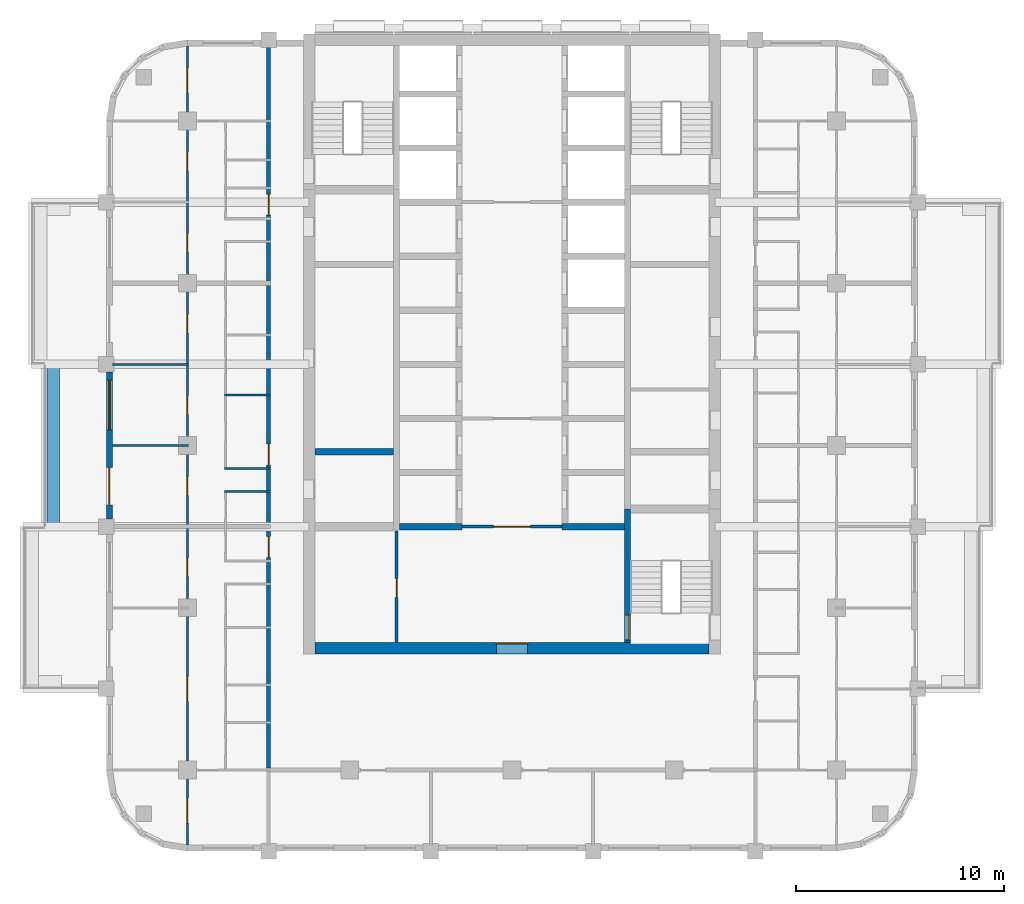
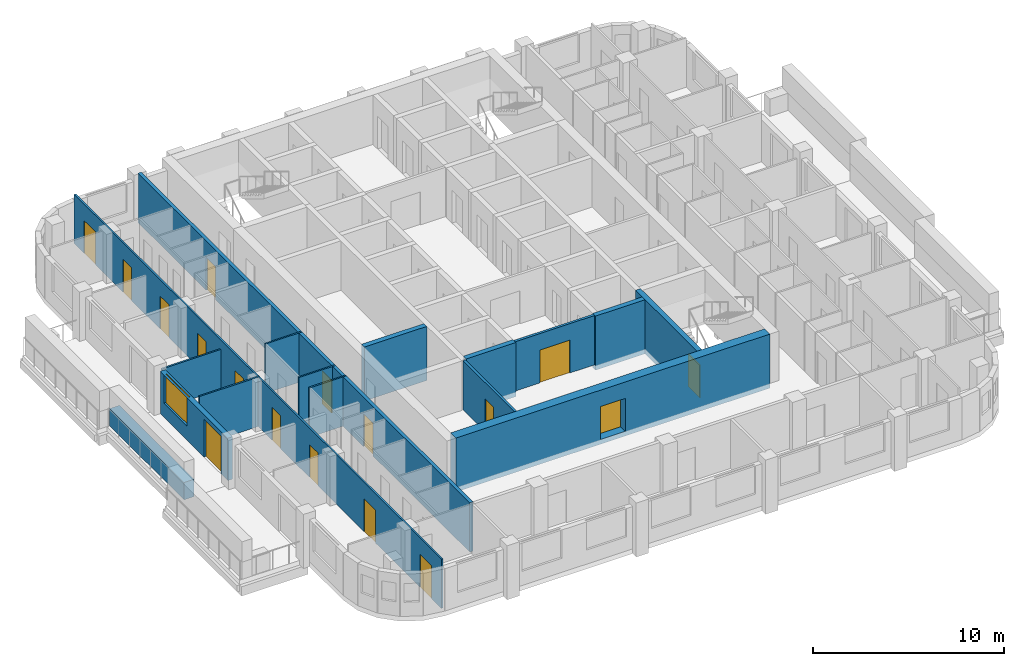
# One storey, part 3 of 13: 17 doors, 16 walls, 1 window, 18 openings.
"""IFC4 building model written with IfcOpenShell, lengths in metres."""

from ifc_helpers import new_model, si_unit, direction, frame, frame_2d, origin, place, context, subcontext, project, spatial, rectangle, extrude, material, layer, layer_set, type_object, element, fill, save


model = new_model("IFC4")

# Units and contexts
model_context = context("Model", 3, precision=1e-05, world=origin(), true_north=direction((0.0, 1.0)))
body_context = subcontext(model_context, "Body", "Model", "MODEL_VIEW")
ifc_project = project(units=[si_unit("LENGTHUNIT", "METRE"), si_unit("AREAUNIT", "SQUARE_METRE"), si_unit("VOLUMEUNIT", "CUBIC_METRE"), si_unit("PLANEANGLEUNIT", "RADIAN"), si_unit("MASSUNIT", "GRAM", prefix="KILO")], contexts=[model_context])

# Site, building, storey
site_placement = place(None, origin())
site = spatial("IfcSite", under=ifc_project, at=site_placement, CompositionType="ELEMENT")
building_placement = place(site_placement, origin())
building = spatial("IfcBuilding", under=site, at=building_placement, Name="Ludao Terraces", CompositionType="ELEMENT")
storey_placement = place(building_placement, frame((0.0, 0.0, 148.60009765625)))
storey = spatial("IfcBuildingStorey", under=building, at=storey_placement, Name="L40", CompositionType="ELEMENT", Elevation=148.60009765625)

# Wall, opening, door
ifc_material_1 = material(Name="Concrete C60", Category="concrete")
ifc_layer_1 = layer(ifc_material_1, 0.550048828125)
ifc_layer_set_1 = layer_set([ifc_layer_1], Name="Core wall 550 C60")
wall_type_1 = type_object("IfcWallType", Name="Core wall 550 C60", PredefinedType="SOLIDWALL", material=ifc_layer_set_1)
wall_1_placement = place(storey_placement, frame((75.52490234375, 55.25, -0.300048828125), z_axis=(0.0, 0.0, 1.0), x_axis=(1.0, 0.0, 0.0)))
wall_1 = element("IfcWall", 1, at=wall_1_placement, inside=storey, type_object=wall_type_1, Name="Core wall L40 outer-S", PredefinedType="SOLIDWALL", context=body_context, shape_type="SweptSolid", body=[
    extrude(rectangle(XDim=18.9501953125, YDim=0.550048828125, at=frame_2d((9.47509765625, 0.0))), origin(), (0.0, 0.0, 1.0), 3.449951171875),
])
opening_1_placement = place(wall_1_placement, frame((8.72509765625, 0.0, 0.300048828125)))
opening_1 = element("IfcOpeningElement", 2, at=opening_1_placement, cuts=wall_1, Name="Opening R14-016", PredefinedType="OPENING", context=body_context, shape_type="SweptSolid", body=[
    extrude(rectangle(XDim=1.5, YDim=2.10009765625, at=frame_2d((0.75, 1.050048828125))), frame((0.0, 0.28515625, 0.0), z_axis=(0.0, -1.0, 0.0), x_axis=(1.0, 0.0, 0.0)), (0.0, 0.0, 1.0), 0.570068359375),
])
ifc_material_2 = material(Name="Steel Q235", Category="steel")
door_type_1 = type_object("IfcDoorType", Name="INT Lobby door 1500", OperationType="DOUBLE_DOOR_SINGLE_SWING", PredefinedType="DOOR", material=ifc_material_2)
door_1_placement = place(opening_1_placement, origin())
door_1 = element("IfcDoor", 3, at=door_1_placement, inside=storey, type_object=door_type_1, Name="DOOR 016", OperationType="DOUBLE_DOOR_SINGLE_SWING", OverallHeight=2.10009765625, OverallWidth=1.5, PredefinedType="DOOR", context=body_context, shape_type="SweptSolid", body=[
    extrude(rectangle(XDim=1.5, YDim=2.10009765625, at=frame_2d((0.75, 1.050048828125))), frame((0.0, 0.26025390625, 0.0), z_axis=(0.0, -1.0, 0.0), x_axis=(1.0, 0.0, 0.0)), (0.0, 0.0, 1.0), 0.050048828125),
])
fill(opening_1, door_1)

# Wall
ifc_material_3 = material(Name="Concrete C40", Category="concrete")
ifc_layer_2 = layer(ifc_material_3, 0.60009765625)
ifc_layer_set_2 = layer_set([ifc_layer_2], Name="ENV Planter trough 600")
wall_type_2 = type_object("IfcWallType", Name="ENV Planter trough 600", PredefinedType="USERDEFINED", material=ifc_layer_set_2)
wall_2_placement = place(storey_placement, frame((62.949951171875, 61.10009765625, 0.0), z_axis=(0.0, 0.0, 1.0), x_axis=(0.0, 1.0, 0.0)))
element("IfcWall", 4, at=wall_2_placement, inside=storey, type_object=wall_type_2, Name="PL-L40-W2", ObjectType="PLANTER", PredefinedType="USERDEFINED", context=body_context, shape_type="SweptSolid", body=[
    extrude(rectangle(XDim=7.7998046875, YDim=0.60009765625, at=frame_2d((3.89990234375, 0.0))), origin(), (0.0, 0.0, 1.0), 1.099853515625),
])

# Wall, openings, door, window
ifc_material_4 = material(Name="Granite cladding", Category="masonry")
ifc_layer_3 = layer(ifc_material_4, 0.0400390625, Category="stone")
ifc_material_5 = material(Name="Mineral wool")
ifc_layer_4 = layer(ifc_material_5, 0.06005859375)
ifc_layer_5 = layer(ifc_material_3, 0.199951171875, Category="concrete")
ifc_layer_set_3 = layer_set([ifc_layer_3, ifc_layer_4, ifc_layer_5], Name="ENV Stone-clad wall 300")
wall_type_3 = type_object("IfcWallType", Name="ENV Stone-clad wall 300", PredefinedType="SOLIDWALL", material=ifc_layer_set_3)
wall_3_placement = place(storey_placement, frame((65.64990234375, 61.47509765625, 0.0), z_axis=(0.0, 0.0, 1.0), x_axis=(0.0, 1.0, 0.0)))
wall_3 = element("IfcWall", 5, at=wall_3_placement, inside=storey, type_object=wall_type_3, Name="EW-L40-W3", PredefinedType="SOLIDWALL", context=body_context, shape_type="SweptSolid", body=[
    extrude(rectangle(XDim=7.0498046875, YDim=0.300048828125, at=frame_2d((3.52490234375, 0.0))), origin(), (0.0, 0.0, 1.0), 2.699951171875),
])
opening_2_placement = place(wall_3_placement, frame((0.675048828125, 0.0, 0.0)))
opening_2 = element("IfcOpeningElement", 6, at=opening_2_placement, cuts=wall_3, Name="Opening BD", PredefinedType="OPENING", context=body_context, shape_type="SweptSolid", body=[
    extrude(rectangle(XDim=1.800048828125, YDim=2.39990234375, at=frame_2d((0.89990234375, 1.199951171875))), frame((0.0, 0.16015625, 0.0), z_axis=(0.0, -1.0, 0.0), x_axis=(1.0, 0.0, 0.0)), (0.0, 0.0, 1.0), 0.320068359375),
])
opening_3_placement = place(wall_3_placement, frame((4.27490234375, 0.0, 0.89990234375)))
opening_3 = element("IfcOpeningElement", 7, at=opening_3_placement, cuts=wall_3, Name="Opening W1", PredefinedType="OPENING", context=body_context, shape_type="SweptSolid", body=[
    extrude(rectangle(XDim=2.39990234375, YDim=1.800048828125, at=frame_2d((1.199951171875, 0.89990234375))), frame((0.0, 0.16015625, 0.0), z_axis=(0.0, -1.0, 0.0), x_axis=(1.0, 0.0, 0.0)), (0.0, 0.0, 1.0), 0.320068359375),
])
ifc_material_6 = material(Name="Aluminium glazed door", Category="aluminium")
ifc_layer_6 = layer(ifc_material_6, 0.06005859375)
ifc_layer_set_4 = layer_set([ifc_layer_6], Name="ENV Balcony door BD 1800x2400")
door_type_2 = type_object("IfcDoorType", Name="ENV Balcony door BD 1800x2400", OperationType="DOUBLE_DOOR_SINGLE_SWING", PredefinedType="DOOR", material=ifc_layer_set_4)
door_2_placement = place(opening_2_placement, origin())
door_2 = element("IfcDoor", 8, at=door_2_placement, inside=storey, type_object=door_type_2, Name="BD-L40-W3-1", OperationType="DOUBLE_DOOR_SINGLE_SWING", OverallHeight=2.39990234375, OverallWidth=1.800048828125, PredefinedType="DOOR", context=body_context, shape_type="SweptSolid", body=[
    extrude(rectangle(XDim=1.800048828125, YDim=2.39990234375, at=frame_2d((0.89990234375, 1.199951171875))), frame((0.0, 0.02490234375, 0.0), z_axis=(0.0, -1.0, 0.0), x_axis=(1.0, 0.0, 0.0)), (0.0, 0.0, 1.0), 0.050048828125),
])
fill(opening_2, door_2)
ifc_material_7 = material(Name="Clear glass in aluminium frame", Category="aluminium")
ifc_layer_7 = layer(ifc_material_7, 0.06005859375)
ifc_layer_set_5 = layer_set([ifc_layer_7], Name="ENV Window W1 2400x1800")
window_type = type_object("IfcWindowType", Name="ENV Window W1 2400x1800", PartitioningType="DOUBLE_PANEL_VERTICAL", PredefinedType="WINDOW", material=ifc_layer_set_5)
window_placement = place(opening_3_placement, origin())
window = element("IfcWindow", 9, at=window_placement, inside=storey, type_object=window_type, Name="W-L40-W3-2", OverallHeight=1.800048828125, OverallWidth=2.39990234375, PartitioningType="DOUBLE_PANEL_VERTICAL", PredefinedType="WINDOW", context=body_context, shape_type="SweptSolid", body=[
    extrude(rectangle(XDim=2.39990234375, YDim=1.800048828125, at=frame_2d((1.199951171875, 0.89990234375))), frame((0.0, 0.030029296875, 0.0), z_axis=(0.0, -1.0, 0.0), x_axis=(1.0, 0.0, 0.0)), (0.0, 0.0, 1.0), 0.06005859375),
])
fill(opening_3, window)

# Wall, opening, door
ifc_material_8 = material(Name="Fire-rated gypsum plasterboard", Category="gypsum")
ifc_layer_8 = layer(ifc_material_8, 0.012451171875, Category="gypsum")
ifc_layer_9 = layer(ifc_material_5, 0.10009765625, Name="insulation")
ifc_layer_10 = layer(ifc_material_2, 0.02490234375, Name="stud")
ifc_layer_11 = layer(ifc_material_8, 0.012451171875, Category="gypsum")
ifc_layer_set_6 = layer_set([ifc_layer_8, ifc_layer_9, ifc_layer_10, ifc_layer_11], Name="INT Core partition 150")
wall_type_4 = type_object("IfcWallType", Name="INT Core partition 150", PredefinedType="PARTITIONING", material=ifc_layer_set_6)
wall_4_placement = place(storey_placement, frame((82.60009765625, 61.10009765625, 0.0), z_axis=(0.0, 0.0, 1.0), x_axis=(1.0, 0.0, 0.0)))
wall_4 = element("IfcWall", 10, at=wall_4_placement, inside=storey, type_object=wall_type_4, Name="PW-L40-PW017", PredefinedType="PARTITIONING", context=body_context, shape_type="SweptSolid", body=[
    extrude(rectangle(XDim=4.800048828125, YDim=0.14990234375, at=frame_2d((2.39990234375, 0.0))), origin(), (0.0, 0.0, 1.0), 3.14990234375),
])
opening_4_placement = place(wall_4_placement, frame((1.5, 0.0, 0.0)))
opening_4 = element("IfcOpeningElement", 11, at=opening_4_placement, cuts=wall_4, Name="Opening R14-029", PredefinedType="OPENING", context=body_context, shape_type="SweptSolid", body=[
    extrude(rectangle(XDim=1.800048828125, YDim=2.10009765625, at=frame_2d((0.89990234375, 1.050048828125))), frame((0.0, 0.0849609375, 0.0), z_axis=(0.0, -1.0, 0.0), x_axis=(1.0, 0.0, 0.0)), (0.0, 0.0, 1.0), 0.169921875),
])
door_type_3 = type_object("IfcDoorType", Name="INT Fire lobby door 1800", OperationType="DOUBLE_DOOR_SINGLE_SWING", PredefinedType="DOOR", material=ifc_material_2)
door_3_placement = place(opening_4_placement, origin())
door_3 = element("IfcDoor", 12, at=door_3_placement, inside=storey, type_object=door_type_3, Name="DOOR 029", OperationType="DOUBLE_DOOR_SINGLE_SWING", OverallHeight=2.10009765625, OverallWidth=1.800048828125, PredefinedType="DOOR", context=body_context, shape_type="SweptSolid", body=[
    extrude(rectangle(XDim=1.800048828125, YDim=2.10009765625, at=frame_2d((0.89990234375, 1.050048828125))), frame((0.0, 0.02490234375, 0.0), z_axis=(0.0, -1.0, 0.0), x_axis=(1.0, 0.0, 0.0)), (0.0, 0.0, 1.0), 0.050048828125),
])
fill(opening_4, door_3)

wall_5_placement = place(storey_placement, frame((79.449951171875, 55.525146484375, 0.0), z_axis=(0.0, 0.0, 1.0), x_axis=(0.0, 1.0, 0.0)))
wall_5 = element("IfcWall", 13, at=wall_5_placement, inside=storey, type_object=wall_type_4, Name="PW-L40-PW055", PredefinedType="PARTITIONING", context=body_context, shape_type="SweptSolid", body=[
    extrude(rectangle(XDim=5.375, YDim=0.14990234375, at=frame_2d((2.6875, 0.0))), origin(), (0.0, 0.0, 1.0), 3.14990234375),
])
opening_5_placement = place(wall_5_placement, frame((2.175048828125, 0.0, 0.0)))
opening_5 = element("IfcOpeningElement", 14, at=opening_5_placement, cuts=wall_5, Name="Opening R14-022", PredefinedType="OPENING", context=body_context, shape_type="SweptSolid", body=[
    extrude(rectangle(XDim=0.89990234375, YDim=2.10009765625, at=frame_2d((0.449951171875, 1.050048828125))), frame((0.0, 0.0849609375, 0.0), z_axis=(0.0, -1.0, 0.0), x_axis=(1.0, 0.0, 0.0)), (0.0, 0.0, 1.0), 0.169921875),
])
ifc_material_9 = material(Name="Timber door leaf", Category="wood")
door_type_4 = type_object("IfcDoorType", Name="INT Room door 900", OperationType="SINGLE_SWING_LEFT", PredefinedType="DOOR", material=ifc_material_9)
door_4_placement = place(opening_5_placement, origin())
door_4 = element("IfcDoor", 15, at=door_4_placement, inside=storey, type_object=door_type_4, Name="DOOR 022", OperationType="SINGLE_SWING_LEFT", OverallHeight=2.10009765625, OverallWidth=0.89990234375, PredefinedType="DOOR", context=body_context, shape_type="SweptSolid", body=[
    extrude(rectangle(XDim=0.89990234375, YDim=2.10009765625, at=frame_2d((0.449951171875, 1.050048828125))), frame((0.0, 0.02490234375, 0.0), z_axis=(0.0, -1.0, 0.0), x_axis=(1.0, 0.0, 0.0)), (0.0, 0.0, 1.0), 0.050048828125),
])
fill(opening_5, door_4)

# Wall, openings, doors
ifc_material_10 = material(Name="Autoclaved aerated concrete block B06 A3.5", Category="concrete")
ifc_layer_12 = layer(ifc_material_10, 0.199951171875)
ifc_layer_set_7 = layer_set([ifc_layer_12], Name="INT Entrance wall 200")
wall_type_5 = type_object("IfcWallType", Name="INT Entrance wall 200", PredefinedType="PARTITIONING", material=ifc_layer_set_7)
wall_6_placement = place(storey_placement, frame((73.300048828125, 49.5, 0.0), z_axis=(0.0, 0.0, 1.0), x_axis=(0.0, 1.0, 0.0)))
wall_6 = element("IfcWall", 16, at=wall_6_placement, inside=storey, type_object=wall_type_5, Name="PW-L40-PW054", PredefinedType="PARTITIONING", context=body_context, shape_type="SweptSolid", body=[
    extrude(rectangle(XDim=34.7001953125, YDim=0.199951171875, at=frame_2d((17.35009765625, 0.0))), origin(), (0.0, 0.0, 1.0), 3.14990234375),
])
opening_6_placement = place(wall_6_placement, frame((10.125, 0.0, 0.0)))
opening_6 = element("IfcOpeningElement", 17, at=opening_6_placement, cuts=wall_6, Name="Opening R14-026", PredefinedType="OPENING", context=body_context, shape_type="SweptSolid", body=[
    extrude(rectangle(XDim=1.0, YDim=2.10009765625, at=frame_2d((0.5, 1.050048828125))), frame((0.0, 0.10986328125, 0.0), z_axis=(0.0, -1.0, 0.0), x_axis=(1.0, 0.0, 0.0)), (0.0, 0.0, 1.0), 0.219970703125),
])
opening_7_placement = place(wall_6_placement, frame((14.5751953125, 0.0, 0.0)))
opening_7 = element("IfcOpeningElement", 18, at=opening_7_placement, cuts=wall_6, Name="Opening R14-038", PredefinedType="OPENING", context=body_context, shape_type="SweptSolid", body=[
    extrude(rectangle(XDim=1.0, YDim=2.10009765625, at=frame_2d((0.5, 1.050048828125))), frame((0.0, 0.10986328125, 0.0), z_axis=(0.0, -1.0, 0.0), x_axis=(1.0, 0.0, 0.0)), (0.0, 0.0, 1.0), 0.219970703125),
])
opening_8_placement = place(wall_6_placement, frame((26.5751953125, 0.0, 0.0)))
opening_8 = element("IfcOpeningElement", 19, at=opening_8_placement, cuts=wall_6, Name="Opening R14-072", PredefinedType="OPENING", context=body_context, shape_type="SweptSolid", body=[
    extrude(rectangle(XDim=1.0, YDim=2.10009765625, at=frame_2d((0.5, 1.050048828125))), frame((0.0, 0.10986328125, 0.0), z_axis=(0.0, -1.0, 0.0), x_axis=(1.0, 0.0, 0.0)), (0.0, 0.0, 1.0), 0.219970703125),
])
door_type_5 = type_object("IfcDoorType", Name="INT Flat entrance door 1000", OperationType="SINGLE_SWING_LEFT", PredefinedType="DOOR", material=ifc_material_2)
door_5_placement = place(opening_6_placement, origin())
door_5 = element("IfcDoor", 20, at=door_5_placement, inside=storey, type_object=door_type_5, Name="DOOR 026", OperationType="SINGLE_SWING_RIGHT", OverallHeight=2.10009765625, OverallWidth=1.0, PredefinedType="DOOR", context=body_context, shape_type="SweptSolid", body=[
    extrude(rectangle(XDim=1.0, YDim=2.10009765625, at=frame_2d((0.5, 1.050048828125))), frame((0.0, 0.02490234375, 0.0), z_axis=(0.0, -1.0, 0.0), x_axis=(1.0, 0.0, 0.0)), (0.0, 0.0, 1.0), 0.050048828125),
])
fill(opening_6, door_5)
door_6_placement = place(opening_7_placement, origin())
door_6 = element("IfcDoor", 21, at=door_6_placement, inside=storey, type_object=door_type_5, Name="DOOR 038", OperationType="SINGLE_SWING_RIGHT", OverallHeight=2.10009765625, OverallWidth=1.0, PredefinedType="DOOR", context=body_context, shape_type="SweptSolid", body=[
    extrude(rectangle(XDim=1.0, YDim=2.10009765625, at=frame_2d((0.5, 1.050048828125))), frame((0.0, 0.02490234375, 0.0), z_axis=(0.0, -1.0, 0.0), x_axis=(1.0, 0.0, 0.0)), (0.0, 0.0, 1.0), 0.050048828125),
])
fill(opening_7, door_6)
door_7_placement = place(opening_8_placement, origin())
door_7 = element("IfcDoor", 22, at=door_7_placement, inside=storey, type_object=door_type_5, Name="DOOR 072", OperationType="SINGLE_SWING_RIGHT", OverallHeight=2.10009765625, OverallWidth=1.0, PredefinedType="DOOR", context=body_context, shape_type="SweptSolid", body=[
    extrude(rectangle(XDim=1.0, YDim=2.10009765625, at=frame_2d((0.5, 1.050048828125))), frame((0.0, 0.02490234375, 0.0), z_axis=(0.0, -1.0, 0.0), x_axis=(1.0, 0.0, 0.0)), (0.0, 0.0, 1.0), 0.050048828125),
])
fill(opening_8, door_7)

# Walls
ifc_material_11 = material(Name="Gypsum plasterboard", Category="gypsum")
ifc_layer_13 = layer(ifc_material_11, 0.012451171875, Category="gypsum")
ifc_layer_14 = layer(ifc_material_5, 0.06005859375, Name="insulation")
ifc_layer_15 = layer(ifc_material_2, 0.014892578125, Name="stud")
ifc_layer_16 = layer(ifc_material_11, 0.012451171875, Category="gypsum")
ifc_layer_set_8 = layer_set([ifc_layer_13, ifc_layer_14, ifc_layer_15, ifc_layer_16], Name="INT Partition 100")
wall_type_6 = type_object("IfcWallType", Name="INT Partition 100", PredefinedType="PARTITIONING", material=ifc_layer_set_8)
for number, where, z_axis, x_axis, name in (
    (23, (71.18017578125, 62.800048828125, 0.0), (0.0, 0.0, 1.0), (1.0, 0.0, 0.0), "PW-L40-PW020"),
    (24, (71.18017578125, 63.89990234375, 0.0), (0.0, 0.0, 1.0), (1.0, 0.0, 0.0), "PW-L40-PW021"),
):
    element("IfcWall", number, at=place(storey_placement, frame(where, z_axis=z_axis, x_axis=x_axis)), inside=storey, type_object=wall_type_6, Name=name, PredefinedType="PARTITIONING", context=body_context, shape_type="SweptSolid", body=[
        extrude(rectangle(XDim=2.219970703125, YDim=0.10009765625, at=frame_2d((1.10986328125, 0.0))), origin(), (0.0, 0.0, 1.0), 3.14990234375),
    ])
wall_7_placement = place(storey_placement, frame((65.800048828125, 65.0, 0.0), z_axis=(0.0, 0.0, 1.0), x_axis=(1.0, 0.0, 0.0)))
element("IfcWall", 25, at=wall_7_placement, inside=storey, type_object=wall_type_6, Name="PW-L40-PW022", PredefinedType="PARTITIONING", context=body_context, shape_type="SweptSolid", body=[
    extrude(rectangle(XDim=3.650146484375, YDim=0.10009765625, at=frame_2d((1.8251953125, 0.0))), origin(), (0.0, 0.0, 1.0), 3.14990234375),
])
wall_8_placement = place(storey_placement, frame((71.18017578125, 67.419921875, 0.0), z_axis=(0.0, 0.0, 1.0), x_axis=(1.0, 0.0, 0.0)))
element("IfcWall", 26, at=wall_8_placement, inside=storey, type_object=wall_type_6, Name="PW-L40-PW025", PredefinedType="PARTITIONING", context=body_context, shape_type="SweptSolid", body=[
    extrude(rectangle(XDim=2.219970703125, YDim=0.10009765625, at=frame_2d((1.10986328125, 0.0))), origin(), (0.0, 0.0, 1.0), 3.14990234375),
])
wall_9_placement = place(storey_placement, frame((65.800048828125, 68.89990234375, 0.0), z_axis=(0.0, 0.0, 1.0), x_axis=(1.0, 0.0, 0.0)))
element("IfcWall", 27, at=wall_9_placement, inside=storey, type_object=wall_type_6, Name="PW-L40-PW028", PredefinedType="PARTITIONING", context=body_context, shape_type="SweptSolid", body=[
    extrude(rectangle(XDim=3.650146484375, YDim=0.10009765625, at=frame_2d((1.8251953125, 0.0))), origin(), (0.0, 0.0, 1.0), 2.5498046875),
])

# Wall, openings, doors
wall_10_placement = place(storey_placement, frame((69.39990234375, 45.800048828125, 0.0), z_axis=(0.0, 0.0, 1.0), x_axis=(0.0, 1.0, 0.0)))
wall_10 = element("IfcWall", 28, at=wall_10_placement, inside=storey, type_object=wall_type_6, Name="PW-L40-PW048", PredefinedType="PARTITIONING", context=body_context, shape_type="SweptSolid", body=[
    extrude(rectangle(XDim=38.400146484375, YDim=0.10009765625, at=frame_2d((19.2001953125, 0.0))), origin(), (0.0, 0.0, 1.0), 3.14990234375),
])
opening_9_placement = place(wall_10_placement, frame((1.050048828125, 0.0, 0.0)))
opening_9 = element("IfcOpeningElement", 29, at=opening_9_placement, cuts=wall_10, Name="Opening R14-001", PredefinedType="OPENING", context=body_context, shape_type="SweptSolid", body=[
    extrude(rectangle(XDim=1.199951171875, YDim=2.10009765625, at=frame_2d((0.60009765625, 1.050048828125))), frame((0.0, 0.06005859375, 0.0), z_axis=(0.0, -1.0, 0.0), x_axis=(1.0, 0.0, 0.0)), (0.0, 0.0, 1.0), 0.1201171875),
])
opening_10_placement = place(wall_10_placement, frame((6.89990234375, 0.0, 0.0)))
opening_10 = element("IfcOpeningElement", 30, at=opening_10_placement, cuts=wall_10, Name="Opening R14-014", PredefinedType="OPENING", context=body_context, shape_type="SweptSolid", body=[
    extrude(rectangle(XDim=1.199951171875, YDim=2.10009765625, at=frame_2d((0.60009765625, 1.050048828125))), frame((0.0, 0.06005859375, 0.0), z_axis=(0.0, -1.0, 0.0), x_axis=(1.0, 0.0, 0.0)), (0.0, 0.0, 1.0), 0.1201171875),
])
opening_11_placement = place(wall_10_placement, frame((12.89990234375, 0.0, 0.0)))
opening_11 = element("IfcOpeningElement", 31, at=opening_11_placement, cuts=wall_10, Name="Opening R14-024", PredefinedType="OPENING", context=body_context, shape_type="SweptSolid", body=[
    extrude(rectangle(XDim=0.89990234375, YDim=2.10009765625, at=frame_2d((0.449951171875, 1.050048828125))), frame((0.0, 0.06005859375, 0.0), z_axis=(0.0, -1.0, 0.0), x_axis=(1.0, 0.0, 0.0)), (0.0, 0.0, 1.0), 0.1201171875),
])
opening_12_placement = place(wall_10_placement, frame((16.800048828125, 0.0, 0.0)))
opening_12 = element("IfcOpeningElement", 32, at=opening_12_placement, cuts=wall_10, Name="Opening R14-034", PredefinedType="OPENING", context=body_context, shape_type="SweptSolid", body=[
    extrude(rectangle(XDim=0.89990234375, YDim=2.10009765625, at=frame_2d((0.449951171875, 1.050048828125))), frame((0.0, 0.06005859375, 0.0), z_axis=(0.0, -1.0, 0.0), x_axis=(1.0, 0.0, 0.0)), (0.0, 0.0, 1.0), 0.1201171875),
])
opening_13_placement = place(wall_10_placement, frame((20.699951171875, 0.0, 0.0)))
opening_13 = element("IfcOpeningElement", 33, at=opening_13_placement, cuts=wall_10, Name="Opening R14-045", PredefinedType="OPENING", context=body_context, shape_type="SweptSolid", body=[
    extrude(rectangle(XDim=0.89990234375, YDim=2.10009765625, at=frame_2d((0.449951171875, 1.050048828125))), frame((0.0, 0.06005859375, 0.0), z_axis=(0.0, -1.0, 0.0), x_axis=(1.0, 0.0, 0.0)), (0.0, 0.0, 1.0), 0.1201171875),
])
opening_14_placement = place(wall_10_placement, frame((24.60009765625, 0.0, 0.0)))
opening_14 = element("IfcOpeningElement", 34, at=opening_14_placement, cuts=wall_10, Name="Opening R14-056", PredefinedType="OPENING", context=body_context, shape_type="SweptSolid", body=[
    extrude(rectangle(XDim=0.89990234375, YDim=2.10009765625, at=frame_2d((0.449951171875, 1.050048828125))), frame((0.0, 0.06005859375, 0.0), z_axis=(0.0, -1.0, 0.0), x_axis=(1.0, 0.0, 0.0)), (0.0, 0.0, 1.0), 0.1201171875),
])
opening_15_placement = place(wall_10_placement, frame((28.5, 0.0, 0.0)))
opening_15 = element("IfcOpeningElement", 35, at=opening_15_placement, cuts=wall_10, Name="Opening R14-065", PredefinedType="OPENING", context=body_context, shape_type="SweptSolid", body=[
    extrude(rectangle(XDim=0.89990234375, YDim=2.10009765625, at=frame_2d((0.449951171875, 1.050048828125))), frame((0.0, 0.06005859375, 0.0), z_axis=(0.0, -1.0, 0.0), x_axis=(1.0, 0.0, 0.0)), (0.0, 0.0, 1.0), 0.1201171875),
])
opening_16_placement = place(wall_10_placement, frame((32.39990234375, 0.0, 0.0)))
opening_16 = element("IfcOpeningElement", 36, at=opening_16_placement, cuts=wall_10, Name="Opening R14-081", PredefinedType="OPENING", context=body_context, shape_type="SweptSolid", body=[
    extrude(rectangle(XDim=0.89990234375, YDim=2.10009765625, at=frame_2d((0.449951171875, 1.050048828125))), frame((0.0, 0.06005859375, 0.0), z_axis=(0.0, -1.0, 0.0), x_axis=(1.0, 0.0, 0.0)), (0.0, 0.0, 1.0), 0.1201171875),
])
opening_17_placement = place(wall_10_placement, frame((36.14990234375, 0.0, 0.0)))
opening_17 = element("IfcOpeningElement", 37, at=opening_17_placement, cuts=wall_10, Name="Opening R14-089", PredefinedType="OPENING", context=body_context, shape_type="SweptSolid", body=[
    extrude(rectangle(XDim=1.199951171875, YDim=2.10009765625, at=frame_2d((0.60009765625, 1.050048828125))), frame((0.0, 0.06005859375, 0.0), z_axis=(0.0, -1.0, 0.0), x_axis=(1.0, 0.0, 0.0)), (0.0, 0.0, 1.0), 0.1201171875),
])
door_type_6 = type_object("IfcDoorType", Name="INT Double door 1200", OperationType="DOUBLE_DOOR_SINGLE_SWING", PredefinedType="DOOR", material=ifc_material_9)
door_8_placement = place(opening_9_placement, origin())
door_8 = element("IfcDoor", 38, at=door_8_placement, inside=storey, type_object=door_type_6, Name="DOOR 001", OperationType="DOUBLE_DOOR_SINGLE_SWING", OverallHeight=2.10009765625, OverallWidth=1.199951171875, PredefinedType="DOOR", context=body_context, shape_type="SweptSolid", body=[
    extrude(rectangle(XDim=1.199951171875, YDim=2.10009765625, at=frame_2d((0.60009765625, 1.050048828125))), frame((0.0, 0.02490234375, 0.0), z_axis=(0.0, -1.0, 0.0), x_axis=(1.0, 0.0, 0.0)), (0.0, 0.0, 1.0), 0.050048828125),
])
fill(opening_9, door_8)
door_9_placement = place(opening_10_placement, origin())
door_9 = element("IfcDoor", 39, at=door_9_placement, inside=storey, type_object=door_type_6, Name="DOOR 014", OperationType="DOUBLE_DOOR_SINGLE_SWING", OverallHeight=2.10009765625, OverallWidth=1.199951171875, PredefinedType="DOOR", context=body_context, shape_type="SweptSolid", body=[
    extrude(rectangle(XDim=1.199951171875, YDim=2.10009765625, at=frame_2d((0.60009765625, 1.050048828125))), frame((0.0, 0.02490234375, 0.0), z_axis=(0.0, -1.0, 0.0), x_axis=(1.0, 0.0, 0.0)), (0.0, 0.0, 1.0), 0.050048828125),
])
fill(opening_10, door_9)
door_10_placement = place(opening_17_placement, origin())
door_10 = element("IfcDoor", 40, at=door_10_placement, inside=storey, type_object=door_type_6, Name="DOOR 089", OperationType="DOUBLE_DOOR_SINGLE_SWING", OverallHeight=2.10009765625, OverallWidth=1.199951171875, PredefinedType="DOOR", context=body_context, shape_type="SweptSolid", body=[
    extrude(rectangle(XDim=1.199951171875, YDim=2.10009765625, at=frame_2d((0.60009765625, 1.050048828125))), frame((0.0, 0.02490234375, 0.0), z_axis=(0.0, -1.0, 0.0), x_axis=(1.0, 0.0, 0.0)), (0.0, 0.0, 1.0), 0.050048828125),
])
fill(opening_17, door_10)
door_11_placement = place(opening_11_placement, origin())
door_11 = element("IfcDoor", 41, at=door_11_placement, inside=storey, type_object=door_type_4, Name="DOOR 024", OperationType="SINGLE_SWING_RIGHT", OverallHeight=2.10009765625, OverallWidth=0.89990234375, PredefinedType="DOOR", context=body_context, shape_type="SweptSolid", body=[
    extrude(rectangle(XDim=0.89990234375, YDim=2.10009765625, at=frame_2d((0.449951171875, 1.050048828125))), frame((0.0, 0.02490234375, 0.0), z_axis=(0.0, -1.0, 0.0), x_axis=(1.0, 0.0, 0.0)), (0.0, 0.0, 1.0), 0.050048828125),
])
fill(opening_11, door_11)
door_12_placement = place(opening_12_placement, origin())
door_12 = element("IfcDoor", 42, at=door_12_placement, inside=storey, type_object=door_type_4, Name="DOOR 034", OperationType="SINGLE_SWING_LEFT", OverallHeight=2.10009765625, OverallWidth=0.89990234375, PredefinedType="DOOR", context=body_context, shape_type="SweptSolid", body=[
    extrude(rectangle(XDim=0.89990234375, YDim=2.10009765625, at=frame_2d((0.449951171875, 1.050048828125))), frame((0.0, 0.02490234375, 0.0), z_axis=(0.0, -1.0, 0.0), x_axis=(1.0, 0.0, 0.0)), (0.0, 0.0, 1.0), 0.050048828125),
])
fill(opening_12, door_12)
door_13_placement = place(opening_13_placement, origin())
door_13 = element("IfcDoor", 43, at=door_13_placement, inside=storey, type_object=door_type_4, Name="DOOR 045", OperationType="SINGLE_SWING_RIGHT", OverallHeight=2.10009765625, OverallWidth=0.89990234375, PredefinedType="DOOR", context=body_context, shape_type="SweptSolid", body=[
    extrude(rectangle(XDim=0.89990234375, YDim=2.10009765625, at=frame_2d((0.449951171875, 1.050048828125))), frame((0.0, 0.02490234375, 0.0), z_axis=(0.0, -1.0, 0.0), x_axis=(1.0, 0.0, 0.0)), (0.0, 0.0, 1.0), 0.050048828125),
])
fill(opening_13, door_13)
door_14_placement = place(opening_14_placement, origin())
door_14 = element("IfcDoor", 44, at=door_14_placement, inside=storey, type_object=door_type_4, Name="DOOR 056", OperationType="SINGLE_SWING_LEFT", OverallHeight=2.10009765625, OverallWidth=0.89990234375, PredefinedType="DOOR", context=body_context, shape_type="SweptSolid", body=[
    extrude(rectangle(XDim=0.89990234375, YDim=2.10009765625, at=frame_2d((0.449951171875, 1.050048828125))), frame((0.0, 0.02490234375, 0.0), z_axis=(0.0, -1.0, 0.0), x_axis=(1.0, 0.0, 0.0)), (0.0, 0.0, 1.0), 0.050048828125),
])
fill(opening_14, door_14)
door_15_placement = place(opening_15_placement, origin())
door_15 = element("IfcDoor", 45, at=door_15_placement, inside=storey, type_object=door_type_4, Name="DOOR 065", OperationType="SINGLE_SWING_RIGHT", OverallHeight=2.10009765625, OverallWidth=0.89990234375, PredefinedType="DOOR", context=body_context, shape_type="SweptSolid", body=[
    extrude(rectangle(XDim=0.89990234375, YDim=2.10009765625, at=frame_2d((0.449951171875, 1.050048828125))), frame((0.0, 0.02490234375, 0.0), z_axis=(0.0, -1.0, 0.0), x_axis=(1.0, 0.0, 0.0)), (0.0, 0.0, 1.0), 0.050048828125),
])
fill(opening_15, door_15)
door_16_placement = place(opening_16_placement, origin())
door_16 = element("IfcDoor", 46, at=door_16_placement, inside=storey, type_object=door_type_4, Name="DOOR 081", OperationType="SINGLE_SWING_RIGHT", OverallHeight=2.10009765625, OverallWidth=0.89990234375, PredefinedType="DOOR", context=body_context, shape_type="SweptSolid", body=[
    extrude(rectangle(XDim=0.89990234375, YDim=2.10009765625, at=frame_2d((0.449951171875, 1.050048828125))), frame((0.0, 0.02490234375, 0.0), z_axis=(0.0, -1.0, 0.0), x_axis=(1.0, 0.0, 0.0)), (0.0, 0.0, 1.0), 0.050048828125),
])
fill(opening_16, door_16)

# Wall, opening, door
ifc_material_12 = material(Name="Concrete C55", Category="concrete")
ifc_layer_17 = layer(ifc_material_12, 0.300048828125)
ifc_layer_set_9 = layer_set([ifc_layer_17], Name="Shaft wall 300 C55")
wall_type_7 = type_object("IfcWallType", Name="Shaft wall 300 C55", PredefinedType="SOLIDWALL", material=ifc_layer_set_9)
wall_11_placement = place(storey_placement, frame((90.550048828125, 55.52490234375, -0.300048828125), z_axis=(0.0, 0.0, 1.0), x_axis=(0.0, 1.0, 0.0)))
wall_11 = element("IfcWall", 47, at=wall_11_placement, inside=storey, type_object=wall_type_7, Name="Core wall L40 back-E-S3", PredefinedType="SOLIDWALL", context=body_context, shape_type="SweptSolid", body=[
    extrude(rectangle(XDim=6.425048828125, YDim=0.300048828125, at=frame_2d((3.21240234375, 0.0))), origin(), (0.0, 0.0, 1.0), 3.449951171875),
])
opening_18_placement = place(wall_11_placement, frame((0.125, 0.0, 0.300048828125)))
opening_18 = element("IfcOpeningElement", 48, at=opening_18_placement, cuts=wall_11, Name="Opening R14-018", PredefinedType="OPENING", context=body_context, shape_type="SweptSolid", body=[
    extrude(rectangle(XDim=1.199951171875, YDim=2.10009765625, at=frame_2d((0.60009765625, 1.050048828125))), frame((0.0, 0.16015625, 0.0), z_axis=(0.0, -1.0, 0.0), x_axis=(1.0, 0.0, 0.0)), (0.0, 0.0, 1.0), 0.320068359375),
])
door_type_7 = type_object("IfcDoorType", Name="INT Stair door 1200", OperationType="DOUBLE_DOOR_SINGLE_SWING", PredefinedType="DOOR", material=ifc_material_2)
door_17_placement = place(opening_18_placement, origin())
door_17 = element("IfcDoor", 49, at=door_17_placement, inside=storey, type_object=door_type_7, Name="DOOR 018", OperationType="DOUBLE_DOOR_SINGLE_SWING", OverallHeight=2.10009765625, OverallWidth=1.199951171875, PredefinedType="DOOR", context=body_context, shape_type="SweptSolid", body=[
    extrude(rectangle(XDim=1.199951171875, YDim=2.10009765625, at=frame_2d((0.60009765625, 1.050048828125))), frame((0.0, -0.0849609375, 0.0), z_axis=(0.0, -1.0, 0.0), x_axis=(1.0, 0.0, 0.0)), (0.0, 0.0, 1.0), 0.050048828125),
])
fill(opening_18, door_17)

# Walls
for number, where, z_axis, x_axis, name in (
    (50, (79.60009765625, 61.10009765625, -0.300048828125), (0.0, 0.0, 1.0), (1.0, 0.0, 0.0), "Core wall L40 div-W1"),
    (51, (87.39990234375, 61.10009765625, -0.300048828125), (0.0, 0.0, 1.0), (1.0, 0.0, 0.0), "Core wall L40 div-E1"),
):
    element("IfcWall", number, at=place(storey_placement, frame(where, z_axis=z_axis, x_axis=x_axis)), inside=storey, type_object=wall_type_7, Name=name, PredefinedType="SOLIDWALL", context=body_context, shape_type="SweptSolid", body=[
        extrude(rectangle(XDim=3.0, YDim=0.300048828125, at=frame_2d((1.5, 0.0))), origin(), (0.0, 0.0, 1.0), 3.449951171875),
    ])
wall_12_placement = place(storey_placement, frame((75.52490234375, 64.699951171875, -0.300048828125), z_axis=(0.0, 0.0, 1.0), x_axis=(1.0, 0.0, 0.0)))
element("IfcWall", 52, at=wall_12_placement, inside=storey, type_object=wall_type_7, Name="Core wall L40 riser-a-W", PredefinedType="SOLIDWALL", context=body_context, shape_type="SweptSolid", body=[
    extrude(rectangle(XDim=3.775146484375, YDim=0.300048828125, at=frame_2d((1.8876953125, 0.0))), origin(), (0.0, 0.0, 1.0), 3.449951171875),
])

save(model, "model.ifc")
